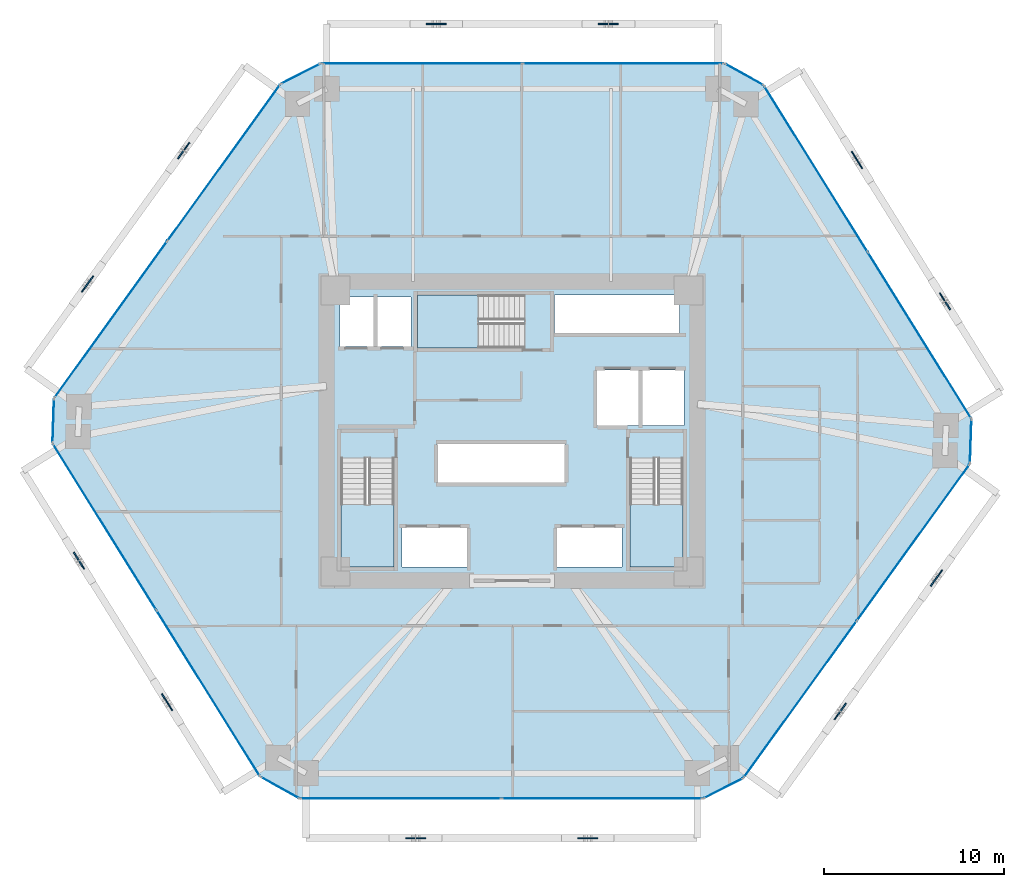
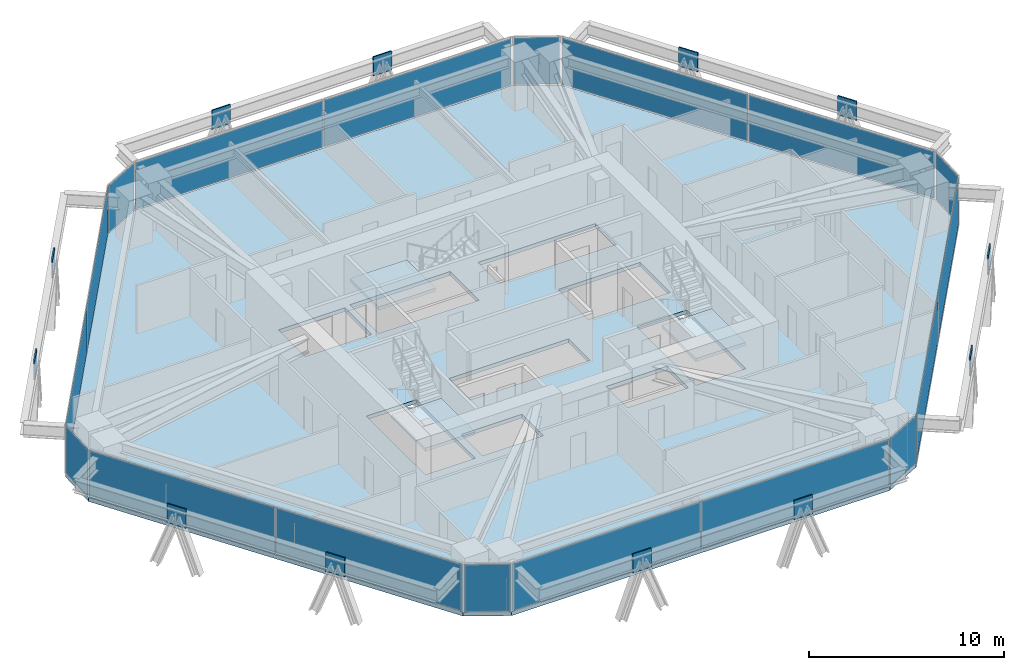
# One storey, part 10 of 17: 30 plates, 4 slabs, 15 elements without a shape of their own.
"""IFC4 building model written with IfcOpenShell, lengths in metres."""

from ifc_helpers import new_model, si_unit, direction, frame, origin, origin_2d, place, context, subcontext, project, spatial, polyline, rectangle, outline, extrude, source, transform, mapped, material, layer, layer_set, type_object, type_shapes, element, aggregate, save


model = new_model("IFC4")

# Units and contexts
model_context = context("Model", 3, precision=1e-05, world=origin(), true_north=direction((0.0, 1.0)))
body_context = subcontext(model_context, "Body", "Model", "MODEL_VIEW")
ifc_project = project(units=[si_unit("LENGTHUNIT", "METRE"), si_unit("AREAUNIT", "SQUARE_METRE"), si_unit("VOLUMEUNIT", "CUBIC_METRE"), si_unit("PLANEANGLEUNIT", "RADIAN"), si_unit("MASSUNIT", "GRAM", prefix="KILO")], contexts=[model_context])

# Site, building, storey
site_placement = place(None, origin())
site = spatial("IfcSite", under=ifc_project, at=site_placement, CompositionType="ELEMENT")
building_placement = place(site_placement, origin())
building = spatial("IfcBuilding", under=site, at=building_placement, Name="Durnholm Broadcast Tower", CompositionType="ELEMENT")
storey_placement = place(building_placement, frame((0.0, 0.0, 72.0)))
storey = spatial("IfcBuildingStorey", under=building, at=storey_placement, Name="L18", CompositionType="ELEMENT", Elevation=72.0)

# Slab
ifc_material_1 = material(Name="Concrete C50/60", Category="concrete")
ifc_layer_1 = layer(ifc_material_1, 0.239990234375)
ifc_layer_set_1 = layer_set([ifc_layer_1], Name="Concrete C50/60")
slab_type_1 = type_object("IfcSlabType", Name="SLAB-FLR-240", PredefinedType="FLOOR", material=ifc_layer_set_1)
slab_1_placement = place(storey_placement, frame((0.0, 0.0, -0.239990234375)))
element("IfcSlab", 1, at=slab_1_placement, inside=storey, type_object=slab_type_1, Name="L18 structural floor slab", PredefinedType="FLOOR", context=body_context, shape_type="SweptSolid", body=[
    extrude(outline(polyline([(-13.9794921875, -19.186279296875), (-11.793701171875, -20.39990234375), (10.6201171875, -20.39990234375), (12.845703125, -19.260986328125), (25.419921875, -1.820556640625), (25.50439453125, 0.677978515625), (13.9794921875, 19.186279296875), (11.793701171875, 20.39990234375), (-10.6201171875, 20.39990234375), (-12.845703125, 19.260986328125), (-25.419921875, 1.820556640625), (-25.50439453125, -0.677978515625), (-13.9794921875, -19.186279296875)]), holes=[polyline([(-2.5, -5.35009765625), (-6.10009765625, -5.35009765625), (-6.10009765625, -7.550048828125), (-2.5, -7.550048828125), (-2.5, -5.35009765625)]), polyline([(6.10009765625, -5.35009765625), (2.5, -5.35009765625), (2.5, -7.550048828125), (6.10009765625, -7.550048828125), (6.10009765625, -5.35009765625)]), polyline([(-6.5400390625, -7.550048828125), (-6.5400390625, -1.5), (-9.5, -1.5), (-9.5, -7.550048828125), (-6.5400390625, -7.550048828125)]), polyline([(9.5, -7.550048828125), (9.5, -1.5), (6.5400390625, -1.5), (6.5400390625, -7.550048828125), (9.5, -7.550048828125)]), polyline([(2.949951171875, -0.699951171875), (-4.14990234375, -0.699951171875), (-4.14990234375, -2.89990234375), (2.949951171875, -2.89990234375), (2.949951171875, -0.699951171875)]), polyline([(9.550048828125, 3.39990234375), (4.699951171875, 3.39990234375), (4.699951171875, 0.300048828125), (9.550048828125, 0.300048828125), (9.550048828125, 3.39990234375)]), polyline([(-5.60009765625, 7.449951171875), (-9.550048828125, 7.449951171875), (-9.550048828125, 4.699951171875), (-5.60009765625, 4.699951171875), (-5.60009765625, 7.449951171875)]), polyline([(-5.25, 7.56005859375), (-5.25, 4.60009765625), (0.699951171875, 4.60009765625), (0.699951171875, 7.56005859375), (-5.25, 7.56005859375)]), polyline([(9.31005859375, 5.39990234375), (9.31005859375, 7.550048828125), (2.35009765625, 7.550048828125), (2.35009765625, 5.39990234375), (9.31005859375, 5.39990234375)])]), origin(), (0.0, 0.0, 1.0), 0.239990234375),
])

# Stair, slab
stair_type = type_object("IfcStairType", Name="STAIR-DL-20R1650", PredefinedType="HALF_TURN_STAIR", material=ifc_material_1)
stair_1_placement = place(storey_placement, origin())
stair_1 = element("IfcStair", 2, at=stair_1_placement, inside=storey, type_object=stair_type, Name="L18 ST-1", PredefinedType="HALF_TURN_STAIR")
ifc_layer_2 = layer(ifc_material_1, 0.199951171875)
ifc_layer_set_2 = layer_set([ifc_layer_2], Name="Concrete C50/60")
slab_type_2 = type_object("IfcSlabType", Name="SLAB-LND-200", PredefinedType="LANDING", material=ifc_layer_set_2)
slab_2_placement = place(storey_placement, frame((0.0, 0.0, 1.449951171875)))
slab_2 = element("IfcSlab", 3, at=slab_2_placement, type_object=slab_type_2, Name="ST-1 landing 1", PredefinedType="LANDING", context=body_context, shape_type="SweptSolid", body=[
    extrude(outline(polyline([(-9.5, -4.06494140625), (-9.5, -7.550048828125), (-6.5400390625, -7.550048828125), (-6.5400390625, -4.06494140625), (-9.5, -4.06494140625)])), origin(), (0.0, 0.0, 1.0), 0.199951171875),
])
aggregate(stair_1, [slab_2])

stair_2_placement = place(storey_placement, origin())
stair_2 = element("IfcStair", 4, at=stair_2_placement, inside=storey, type_object=stair_type, Name="L18 ST-2", PredefinedType="HALF_TURN_STAIR")
slab_3_placement = place(storey_placement, frame((0.0, 0.0, 1.449951171875)))
slab_3 = element("IfcSlab", 5, at=slab_3_placement, type_object=slab_type_2, Name="ST-2 landing 1", PredefinedType="LANDING", context=body_context, shape_type="SweptSolid", body=[
    extrude(outline(polyline([(6.5400390625, -4.06494140625), (6.5400390625, -7.550048828125), (9.5, -7.550048828125), (9.5, -4.06494140625), (6.5400390625, -4.06494140625)])), origin(), (0.0, 0.0, 1.0), 0.199951171875),
])
aggregate(stair_2, [slab_3])

stair_3_placement = place(storey_placement, origin())
stair_3 = element("IfcStair", 6, at=stair_3_placement, inside=storey, type_object=stair_type, Name="L18 ST-3", PredefinedType="HALF_TURN_STAIR")
slab_4_placement = place(storey_placement, frame((0.0, 0.0, 1.449951171875)))
slab_4 = element("IfcSlab", 7, at=slab_4_placement, type_object=slab_type_2, Name="ST-3 landing 1", PredefinedType="LANDING", context=body_context, shape_type="SweptSolid", body=[
    extrude(outline(polyline([(-1.864990234375, 7.56005859375), (-5.25, 7.56005859375), (-5.25, 4.60009765625), (-1.864990234375, 4.60009765625), (-1.864990234375, 7.56005859375)])), origin(), (0.0, 0.0, 1.0), 0.199951171875),
])
aggregate(stair_3, [slab_4])

# Plates
ifc_material_2 = material(Name="Steel ASTM A572 Grade 50", Category="steel")
ifc_layer_3 = layer(ifc_material_2, 0.074951171875)
ifc_layer_set_3 = layer_set([ifc_layer_3], Name="Steel ASTM A572 Grade 50")
plate_type_1 = type_object("IfcPlateType", Name="PLT-KN03-GUS", PredefinedType="USERDEFINED", material=ifc_layer_set_3)
shared_shape_1 = source(origin(), body_context, "Body", "SweptSolid", [
    extrude(rectangle(XDim=1.10009765625, YDim=0.074951171875, at=origin_2d()), origin(), (0.0, 0.0, 1.0), 1.199951171875),
])
type_shapes(plate_type_1, [shared_shape_1])
for number, where, z_axis, x_axis, name in (
    (8, (-5.351318359375, -22.60009765625, 1.70849609375), (0.0, 0.0, 1.0), (1.0, 0.0, 0.0), "L18 welded diagrid node gusset plate KN03 F1"),
    (9, (4.202880859375, -22.60009765625, 1.70849609375), (0.0, 0.0, 1.0), (1.0, 0.0, 0.0), "L18 welded diagrid node gusset plate KN03 F1"),
    (10, (18.223388671875, -15.56396484375, 1.70849609375), (0.0, 0.0, 1.0), (0.584816108738, 0.81116590101, 0.0), "L18 welded diagrid node gusset plate KN03 F2"),
    (11, (23.5595703125, -8.16259765625, 1.70849609375), (0.0, 0.0, 1.0), (0.584816108738, 0.81116590101, 0.0), "L18 welded diagrid node gusset plate KN03 F2"),
    (12, (24.036376953125, 7.197509765625, 1.70849609375), (0.0, 0.0, 1.0), (-0.528586500185, 0.848879444811, 0.0), "L18 welded diagrid node gusset plate KN03 F3"),
    (13, (19.14892578125, 15.04638671875, 1.70849609375), (0.0, 0.0, 1.0), (-0.528586500185, 0.848879444811, 0.0), "L18 welded diagrid node gusset plate KN03 F3"),
    (14, (5.351318359375, 22.60009765625, 1.70849609375), (0.0, 0.0, 1.0), (-1.0, 0.0, 0.0), "L18 welded diagrid node gusset plate KN03 F4"),
    (15, (-4.202880859375, 22.60009765625, 1.70849609375), (0.0, 0.0, 1.0), (-1.0, 0.0, 0.0), "L18 welded diagrid node gusset plate KN03 F4"),
    (16, (-18.223388671875, 15.56396484375, 1.70849609375), (0.0, 0.0, 1.0), (-0.584816108738, -0.81116590101, 0.0), "L18 welded diagrid node gusset plate KN03 F5"),
    (17, (-23.5595703125, 8.16259765625, 1.70849609375), (0.0, 0.0, 1.0), (-0.584816108738, -0.81116590101, 0.0), "L18 welded diagrid node gusset plate KN03 F5"),
    (18, (-24.036376953125, -7.197509765625, 1.70849609375), (0.0, 0.0, 1.0), (0.528586500185, -0.848879444811, 0.0), "L18 welded diagrid node gusset plate KN03 F6"),
    (19, (-19.14892578125, -15.04638671875, 1.70849609375), (0.0, 0.0, 1.0), (0.528586500185, -0.848879444811, 0.0), "L18 welded diagrid node gusset plate KN03 F6"),
):
    element("IfcPlate", number, at=place(storey_placement, frame(where, z_axis=z_axis, x_axis=x_axis)), inside=storey, type_object=plate_type_1, Name=name, ObjectType="GUSSET_PLATE", PredefinedType="USERDEFINED", context=body_context, shape_type="MappedRepresentation", body=[
        mapped(shared_shape_1, transform((0.0, 0.0, 0.0), x_axis=(1.0, 0.0, 0.0), y_axis=(0.0, 1.0, 0.0), z_axis=(0.0, 0.0, 1.0), scale=1.0)),
    ])

# Curtain wall, plate
ifc_material_3 = material(Name="Aluminium and Solar Control IGU", Category="aluminium")
ifc_layer_4 = layer(ifc_material_3, 0.1650390625)
ifc_layer_set_4 = layer_set([ifc_layer_4], Name="Aluminium and Solar Control IGU")
curtain_wall_type_1 = type_object("IfcCurtainWallType", Name="CW-SYS-5", PredefinedType="NOTDEFINED", material=ifc_layer_set_4)
curtain_wall_1_placement = place(storey_placement, origin())
curtain_wall_1 = element("IfcCurtainWall", 20, at=curtain_wall_1_placement, inside=storey, type_object=curtain_wall_type_1, Name="L18 curtain wall CW-CORNER CW-L18-CRN-01", PredefinedType="NOTDEFINED")
ifc_material_4 = material(Name="Low-E Laminated Insulating Glass", Category="glass")
ifc_layer_5 = layer(ifc_material_4, 0.030029296875)
ifc_layer_set_5 = layer_set([ifc_layer_5], Name="Low-E Laminated Insulating Glass")
plate_type_2 = type_object("IfcPlateType", Name="CW-SYS-5-PNL", PredefinedType="CURTAIN_PANEL", material=ifc_layer_set_5)
shared_shape_2 = source(origin(), body_context, "Body", "SweptSolid", [
    extrude(rectangle(XDim=2.3701171875, YDim=0.030029296875, at=origin_2d()), origin(), (0.0, 0.0, 1.0), 2.929931640625),
])
plate_1_placement = place(storey_placement, frame((-25.462158203125, 0.5712890625, 0.06494140625), z_axis=(0.0, 0.0, 1.0), x_axis=(0.033839569233, 0.999427277772, 0.0)))
plate_1 = element("IfcPlate", 21, at=plate_1_placement, type_object=plate_type_2, Name="CW-CORNER panel 1.1", PredefinedType="CURTAIN_PANEL", context=body_context, shape_type="MappedRepresentation", body=[
    mapped(shared_shape_2, transform((0.0, 0.0, 0.0), x_axis=(1.0, 0.0, 0.0), y_axis=(0.0, 1.0, 0.0), z_axis=(0.0, 0.0, 1.0), scale=1.0)),
])
aggregate(curtain_wall_1, [plate_1])

curtain_wall_2_placement = place(storey_placement, origin())
curtain_wall_2 = element("IfcCurtainWall", 22, at=curtain_wall_2_placement, inside=storey, type_object=curtain_wall_type_1, Name="L18 curtain wall CW-CORNER CW-L18-CRN-03", PredefinedType="NOTDEFINED")
plate_2_placement = place(storey_placement, frame((-11.73291015625, 19.83056640625, 0.06494140625), z_axis=(0.0, 0.0, 1.0), x_axis=(0.890187804512, 0.455593758406, 0.0)))
plate_2 = element("IfcPlate", 23, at=plate_2_placement, type_object=plate_type_2, Name="CW-CORNER panel 1.1", PredefinedType="CURTAIN_PANEL", context=body_context, shape_type="MappedRepresentation", body=[
    mapped(shared_shape_2, transform((0.0, 0.0, 0.0), x_axis=(1.0, 0.0, 0.0), y_axis=(0.0, 1.0, 0.0), z_axis=(0.0, 0.0, 1.0), scale=1.0)),
])
aggregate(curtain_wall_2, [plate_2])

curtain_wall_3_placement = place(storey_placement, origin())
curtain_wall_3 = element("IfcCurtainWall", 24, at=curtain_wall_3_placement, inside=storey, type_object=curtain_wall_type_1, Name="L18 curtain wall CW-CORNER CW-L18-CRN-07", PredefinedType="NOTDEFINED")
plate_3_placement = place(storey_placement, frame((25.462158203125, -0.5712890625, 0.06494140625), z_axis=(0.0, 0.0, 1.0), x_axis=(-0.033839569233, -0.999427277772, 0.0)))
plate_3 = element("IfcPlate", 25, at=plate_3_placement, type_object=plate_type_2, Name="CW-CORNER panel 1.1", PredefinedType="CURTAIN_PANEL", context=body_context, shape_type="MappedRepresentation", body=[
    mapped(shared_shape_2, transform((0.0, 0.0, 0.0), x_axis=(1.0, 0.0, 0.0), y_axis=(0.0, 1.0, 0.0), z_axis=(0.0, 0.0, 1.0), scale=1.0)),
])
aggregate(curtain_wall_3, [plate_3])

curtain_wall_4_placement = place(storey_placement, origin())
curtain_wall_4 = element("IfcCurtainWall", 26, at=curtain_wall_4_placement, inside=storey, type_object=curtain_wall_type_1, Name="L18 curtain wall CW-CORNER CW-L18-CRN-09", PredefinedType="NOTDEFINED")
plate_4_placement = place(storey_placement, frame((11.73291015625, -19.83056640625, 0.06494140625), z_axis=(0.0, 0.0, 1.0), x_axis=(-0.890187804512, -0.455593758406, 0.0)))
plate_4 = element("IfcPlate", 27, at=plate_4_placement, type_object=plate_type_2, Name="CW-CORNER panel 1.1", PredefinedType="CURTAIN_PANEL", context=body_context, shape_type="MappedRepresentation", body=[
    mapped(shared_shape_2, transform((0.0, 0.0, 0.0), x_axis=(1.0, 0.0, 0.0), y_axis=(0.0, 1.0, 0.0), z_axis=(0.0, 0.0, 1.0), scale=1.0)),
])
aggregate(curtain_wall_4, [plate_4])

# Curtain wall, plates
ifc_layer_6 = layer(ifc_material_3, 0.18994140625)
ifc_layer_set_6 = layer_set([ifc_layer_6], Name="Aluminium and Solar Control IGU")
curtain_wall_type_2 = type_object("IfcCurtainWallType", Name="CW-SYS-3", PredefinedType="NOTDEFINED", material=ifc_layer_set_6)
curtain_wall_5_placement = place(storey_placement, origin())
curtain_wall_5 = element("IfcCurtainWall", 28, at=curtain_wall_5_placement, inside=storey, type_object=curtain_wall_type_2, Name="L18 curtain wall CW-Z12-VIS CW-L18-F02", PredefinedType="NOTDEFINED")
ifc_layer_7 = layer(ifc_material_4, 0.031982421875)
ifc_layer_set_7 = layer_set([ifc_layer_7], Name="Low-E Laminated Insulating Glass")
plate_type_3 = type_object("IfcPlateType", Name="CW-SYS-3-PNL", PredefinedType="CURTAIN_PANEL", material=ifc_layer_set_7)
shared_shape_3 = source(origin(), body_context, "Body", "SweptSolid", [
    extrude(rectangle(XDim=10.645263671875, YDim=0.031982421875, at=origin_2d()), origin(), (0.0, 0.0, 1.0), 2.919921875),
])
plate_5_placement = place(storey_placement, frame((-22.26611328125, 6.19482421875, 0.070068359375), z_axis=(0.0, 0.0, 1.0), x_axis=(0.584823496176, 0.81116057493, 0.0)))
plate_5 = element("IfcPlate", 29, at=plate_5_placement, type_object=plate_type_3, Name="CW-Z12-VIS panel 1.1", PredefinedType="CURTAIN_PANEL", context=body_context, shape_type="MappedRepresentation", body=[
    mapped(shared_shape_3, transform((0.0, 0.0, 0.0), x_axis=(1.0, 0.0, 0.0), y_axis=(0.0, 1.0, 0.0), z_axis=(0.0, 0.0, 1.0), scale=1.0)),
])
plate_6_placement = place(storey_placement, frame((-15.99951171875, 14.88671875, 0.070068359375), z_axis=(0.0, 0.0, 1.0), x_axis=(0.584823496176, 0.81116057493, 0.0)))
plate_6 = element("IfcPlate", 30, at=plate_6_placement, type_object=plate_type_3, Name="CW-Z12-VIS panel 2.1", PredefinedType="CURTAIN_PANEL", context=body_context, shape_type="MappedRepresentation", body=[
    mapped(shared_shape_3, transform((0.0, 0.0, 0.0), x_axis=(1.0, 0.0, 0.0), y_axis=(0.0, 1.0, 0.0), z_axis=(0.0, 0.0, 1.0), scale=1.0)),
])
aggregate(curtain_wall_5, [plate_5, plate_6])

curtain_wall_6_placement = place(storey_placement, origin())
curtain_wall_6 = element("IfcCurtainWall", 31, at=curtain_wall_6_placement, inside=storey, type_object=curtain_wall_type_2, Name="L18 curtain wall CW-Z12-VIS CW-L18-F08", PredefinedType="NOTDEFINED")
plate_7_placement = place(storey_placement, frame((22.26611328125, -6.19482421875, 0.070068359375), z_axis=(0.0, 0.0, 1.0), x_axis=(-0.584823496176, -0.81116057493, 0.0)))
plate_7 = element("IfcPlate", 32, at=plate_7_placement, type_object=plate_type_3, Name="CW-Z12-VIS panel 1.1", PredefinedType="CURTAIN_PANEL", context=body_context, shape_type="MappedRepresentation", body=[
    mapped(shared_shape_3, transform((0.0, 0.0, 0.0), x_axis=(1.0, 0.0, 0.0), y_axis=(0.0, 1.0, 0.0), z_axis=(0.0, 0.0, 1.0), scale=1.0)),
])
plate_8_placement = place(storey_placement, frame((15.99951171875, -14.88671875, 0.070068359375), z_axis=(0.0, 0.0, 1.0), x_axis=(-0.584823496176, -0.81116057493, 0.0)))
plate_8 = element("IfcPlate", 33, at=plate_8_placement, type_object=plate_type_3, Name="CW-Z12-VIS panel 2.1", PredefinedType="CURTAIN_PANEL", context=body_context, shape_type="MappedRepresentation", body=[
    mapped(shared_shape_3, transform((0.0, 0.0, 0.0), x_axis=(1.0, 0.0, 0.0), y_axis=(0.0, 1.0, 0.0), z_axis=(0.0, 0.0, 1.0), scale=1.0)),
])
aggregate(curtain_wall_6, [plate_7, plate_8])

# Curtain wall, plate
curtain_wall_7_placement = place(storey_placement, origin())
curtain_wall_7 = element("IfcCurtainWall", 34, at=curtain_wall_7_placement, inside=storey, type_object=curtain_wall_type_1, Name="L18 curtain wall CW-CORNER CW-L18-CRN-05", PredefinedType="NOTDEFINED")
shared_shape_4 = source(origin(), body_context, "Body", "SweptSolid", [
    extrude(rectangle(XDim=2.369873046875, YDim=0.030029296875, at=origin_2d()), origin(), (0.0, 0.0, 1.0), 2.929931640625),
])
type_shapes(plate_type_2, [shared_shape_2, shared_shape_4])
plate_9_placement = place(storey_placement, frame((12.88671875, 19.793212890625, 0.06494140625), z_axis=(0.0, 0.0, 1.0), x_axis=(0.874245941394, -0.485483299359, 0.0)))
plate_9 = element("IfcPlate", 35, at=plate_9_placement, type_object=plate_type_2, Name="CW-CORNER panel 1.1", PredefinedType="CURTAIN_PANEL", context=body_context, shape_type="MappedRepresentation", body=[
    mapped(shared_shape_4, transform((0.0, 0.0, 0.0), x_axis=(1.0, 0.0, 0.0), y_axis=(0.0, 1.0, 0.0), z_axis=(0.0, 0.0, 1.0), scale=1.0)),
])
aggregate(curtain_wall_7, [plate_9])

curtain_wall_8_placement = place(storey_placement, origin())
curtain_wall_8 = element("IfcCurtainWall", 36, at=curtain_wall_8_placement, inside=storey, type_object=curtain_wall_type_1, Name="L18 curtain wall CW-CORNER CW-L18-CRN-11", PredefinedType="NOTDEFINED")
plate_10_placement = place(storey_placement, frame((-12.88671875, -19.793212890625, 0.06494140625), z_axis=(0.0, 0.0, 1.0), x_axis=(-0.874245941394, 0.485483299359, 0.0)))
plate_10 = element("IfcPlate", 37, at=plate_10_placement, type_object=plate_type_2, Name="CW-CORNER panel 1.1", PredefinedType="CURTAIN_PANEL", context=body_context, shape_type="MappedRepresentation", body=[
    mapped(shared_shape_4, transform((0.0, 0.0, 0.0), x_axis=(1.0, 0.0, 0.0), y_axis=(0.0, 1.0, 0.0), z_axis=(0.0, 0.0, 1.0), scale=1.0)),
])
aggregate(curtain_wall_8, [plate_10])

# Curtain wall, plates
curtain_wall_9_placement = place(storey_placement, origin())
curtain_wall_9 = element("IfcCurtainWall", 38, at=curtain_wall_9_placement, inside=storey, type_object=curtain_wall_type_2, Name="L18 curtain wall CW-Z12-VIS CW-L18-F06", PredefinedType="NOTDEFINED")
shared_shape_5 = source(origin(), body_context, "Body", "SweptSolid", [
    extrude(rectangle(XDim=10.796630859375, YDim=0.031982421875, at=origin_2d()), origin(), (0.0, 0.0, 1.0), 2.919921875),
])
plate_11_placement = place(storey_placement, frame((16.869873046875, 14.54443359375, 0.070068359375), z_axis=(0.0, 0.0, 1.0), x_axis=(0.528592376777, -0.848875785503, 0.0)))
plate_11 = element("IfcPlate", 39, at=plate_11_placement, type_object=plate_type_3, Name="CW-Z12-VIS panel 1.1", PredefinedType="CURTAIN_PANEL", context=body_context, shape_type="MappedRepresentation", body=[
    mapped(shared_shape_5, transform((0.0, 0.0, 0.0), x_axis=(1.0, 0.0, 0.0), y_axis=(0.0, 1.0, 0.0), z_axis=(0.0, 0.0, 1.0), scale=1.0)),
])
plate_12_placement = place(storey_placement, frame((22.614013671875, 5.320068359375, 0.070068359375), z_axis=(0.0, 0.0, 1.0), x_axis=(0.528592376777, -0.848875785503, 0.0)))
plate_12 = element("IfcPlate", 40, at=plate_12_placement, type_object=plate_type_3, Name="CW-Z12-VIS panel 2.1", PredefinedType="CURTAIN_PANEL", context=body_context, shape_type="MappedRepresentation", body=[
    mapped(shared_shape_5, transform((0.0, 0.0, 0.0), x_axis=(1.0, 0.0, 0.0), y_axis=(0.0, 1.0, 0.0), z_axis=(0.0, 0.0, 1.0), scale=1.0)),
])
aggregate(curtain_wall_9, [plate_11, plate_12])

curtain_wall_10_placement = place(storey_placement, origin())
curtain_wall_10 = element("IfcCurtainWall", 41, at=curtain_wall_10_placement, inside=storey, type_object=curtain_wall_type_2, Name="L18 curtain wall CW-Z12-VIS CW-L18-F12", PredefinedType="NOTDEFINED")
plate_13_placement = place(storey_placement, frame((-16.869873046875, -14.54443359375, 0.070068359375), z_axis=(0.0, 0.0, 1.0), x_axis=(-0.528592376777, 0.848875785503, 0.0)))
plate_13 = element("IfcPlate", 42, at=plate_13_placement, type_object=plate_type_3, Name="CW-Z12-VIS panel 1.1", PredefinedType="CURTAIN_PANEL", context=body_context, shape_type="MappedRepresentation", body=[
    mapped(shared_shape_5, transform((0.0, 0.0, 0.0), x_axis=(1.0, 0.0, 0.0), y_axis=(0.0, 1.0, 0.0), z_axis=(0.0, 0.0, 1.0), scale=1.0)),
])
plate_14_placement = place(storey_placement, frame((-22.614013671875, -5.320068359375, 0.070068359375), z_axis=(0.0, 0.0, 1.0), x_axis=(-0.528592376777, 0.848875785503, 0.0)))
plate_14 = element("IfcPlate", 43, at=plate_14_placement, type_object=plate_type_3, Name="CW-Z12-VIS panel 2.1", PredefinedType="CURTAIN_PANEL", context=body_context, shape_type="MappedRepresentation", body=[
    mapped(shared_shape_5, transform((0.0, 0.0, 0.0), x_axis=(1.0, 0.0, 0.0), y_axis=(0.0, 1.0, 0.0), z_axis=(0.0, 0.0, 1.0), scale=1.0)),
])
aggregate(curtain_wall_10, [plate_13, plate_14])

curtain_wall_11_placement = place(storey_placement, origin())
curtain_wall_11 = element("IfcCurtainWall", 44, at=curtain_wall_11_placement, inside=storey, type_object=curtain_wall_type_2, Name="L18 curtain wall CW-Z12-VIS CW-L18-F04", PredefinedType="NOTDEFINED")
shared_shape_6 = source(origin(), body_context, "Body", "SweptSolid", [
    extrude(rectangle(XDim=11.10205078125, YDim=0.031982421875, at=origin_2d()), origin(), (0.0, 0.0, 1.0), 2.919921875),
])
type_shapes(plate_type_3, [shared_shape_3, shared_shape_5, shared_shape_6])
plate_15_placement = place(storey_placement, frame((-4.999267578125, 20.39990234375, 0.070068359375), z_axis=(0.0, 0.0, 1.0), x_axis=(1.0, 0.0, 0.0)))
plate_15 = element("IfcPlate", 45, at=plate_15_placement, type_object=plate_type_3, Name="CW-Z12-VIS panel 1.1", PredefinedType="CURTAIN_PANEL", context=body_context, shape_type="MappedRepresentation", body=[
    mapped(shared_shape_6, transform((0.0, 0.0, 0.0), x_axis=(1.0, 0.0, 0.0), y_axis=(0.0, 1.0, 0.0), z_axis=(0.0, 0.0, 1.0), scale=1.0)),
])
plate_16_placement = place(storey_placement, frame((6.1728515625, 20.39990234375, 0.070068359375), z_axis=(0.0, 0.0, 1.0), x_axis=(1.0, 0.0, 0.0)))
plate_16 = element("IfcPlate", 46, at=plate_16_placement, type_object=plate_type_3, Name="CW-Z12-VIS panel 2.1", PredefinedType="CURTAIN_PANEL", context=body_context, shape_type="MappedRepresentation", body=[
    mapped(shared_shape_6, transform((0.0, 0.0, 0.0), x_axis=(1.0, 0.0, 0.0), y_axis=(0.0, 1.0, 0.0), z_axis=(0.0, 0.0, 1.0), scale=1.0)),
])
aggregate(curtain_wall_11, [plate_15, plate_16])

curtain_wall_12_placement = place(storey_placement, origin())
curtain_wall_12 = element("IfcCurtainWall", 47, at=curtain_wall_12_placement, inside=storey, type_object=curtain_wall_type_2, Name="L18 curtain wall CW-Z12-VIS CW-L18-F10", PredefinedType="NOTDEFINED")
plate_17_placement = place(storey_placement, frame((4.999267578125, -20.39990234375, 0.070068359375), z_axis=(0.0, 0.0, 1.0), x_axis=(-1.0, 0.0, 0.0)))
plate_17 = element("IfcPlate", 48, at=plate_17_placement, type_object=plate_type_3, Name="CW-Z12-VIS panel 1.1", PredefinedType="CURTAIN_PANEL", context=body_context, shape_type="MappedRepresentation", body=[
    mapped(shared_shape_6, transform((0.0, 0.0, 0.0), x_axis=(1.0, 0.0, 0.0), y_axis=(0.0, 1.0, 0.0), z_axis=(0.0, 0.0, 1.0), scale=1.0)),
])
plate_18_placement = place(storey_placement, frame((-6.1728515625, -20.39990234375, 0.070068359375), z_axis=(0.0, 0.0, 1.0), x_axis=(-1.0, 0.0, 0.0)))
plate_18 = element("IfcPlate", 49, at=plate_18_placement, type_object=plate_type_3, Name="CW-Z12-VIS panel 2.1", PredefinedType="CURTAIN_PANEL", context=body_context, shape_type="MappedRepresentation", body=[
    mapped(shared_shape_6, transform((0.0, 0.0, 0.0), x_axis=(1.0, 0.0, 0.0), y_axis=(0.0, 1.0, 0.0), z_axis=(0.0, 0.0, 1.0), scale=1.0)),
])
aggregate(curtain_wall_12, [plate_17, plate_18])

save(model, "model.ifc")
